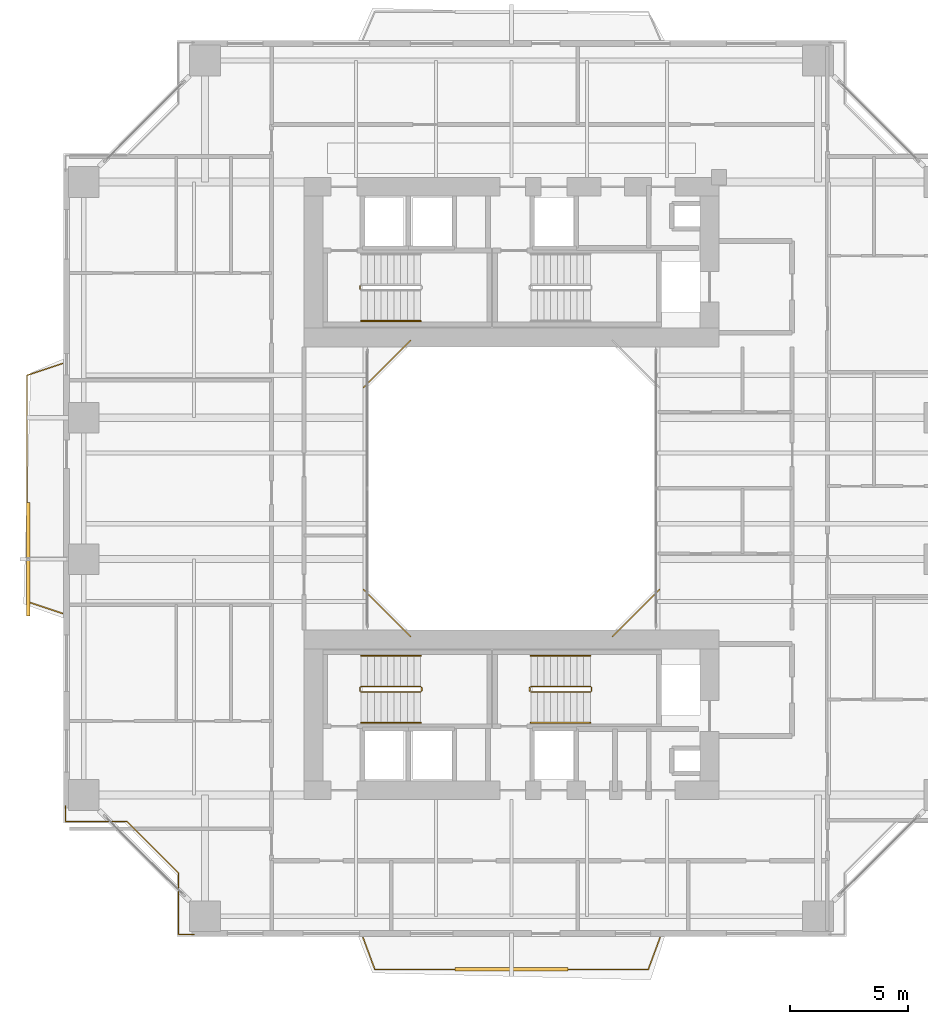
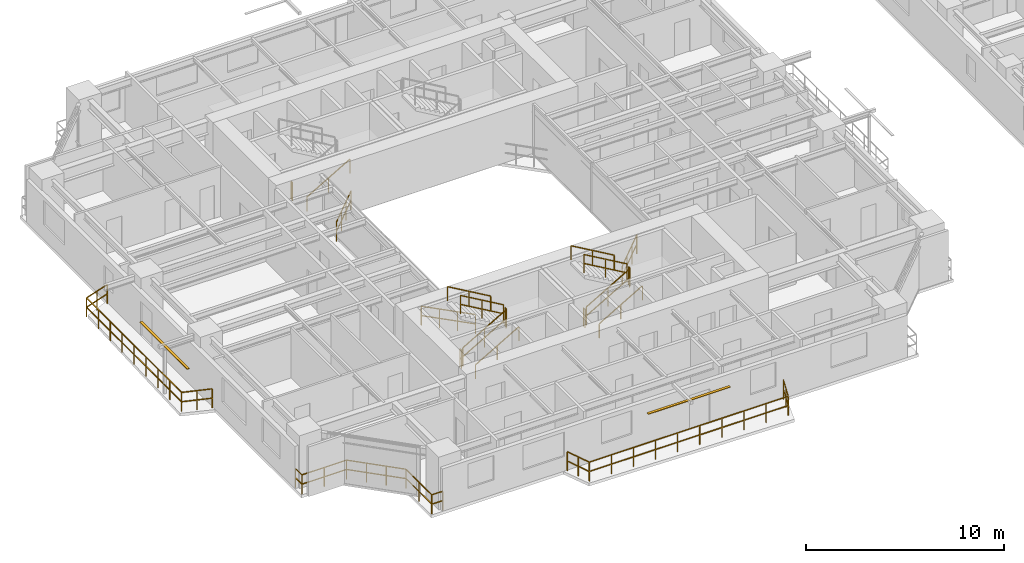
# One storey, part 20 of 24: 20 railings, 2 shading devices.
"""IFC4 building model written with IfcOpenShell, lengths in metres."""

import ifcopenshell
import ifcopenshell.guid

model = None  # the IFC model being written
_history = None  # IfcOwnerHistory: only IFC2X3 demands one
_inside = {}  # id of a spatial element -> (the spatial element, [elements in it])
_under = {}  # id of a project, library or spatial element -> (it, [spatial elements below it])
_declared = {}  # id of a project -> (the project, [libraries it declares])
_typed = {}  # id of a type object -> (the type object, [elements of that type])
_made_of = {}  # id of a material, layer set ... -> (it, [elements and type objects made of it])


def new_model(schema):
    """Start an empty IFC model of exactly this schema.

    Asked for "IFC4X3", IfcOpenShell would pick the latest addendum, in which some entities
    have other attributes; the version numbers below select the first issue.
    IFC2X3 requires an IfcOwnerHistory on every rooted entity: one is made here for all.
    """
    global model, _history
    if schema == "IFC4X3":
        model = ifcopenshell.file(schema_version=(4, 3, 0, 0))
    else:
        model = ifcopenshell.file(schema=schema)
    _inside.clear()
    _under.clear()
    _declared.clear()
    _typed.clear()
    _made_of.clear()
    _history = None
    if model.schema == "IFC2X3":
        org = make("IfcOrganization", Name="unknown")
        user = make(
            "IfcPersonAndOrganization",
            ThePerson=make("IfcPerson", FamilyName="unknown"),
            TheOrganization=org,
        )
        app = make(
            "IfcApplication",
            ApplicationDeveloper=org,
            Version="unknown",
            ApplicationFullName="unknown",
            ApplicationIdentifier="unknown",
        )
        _history = make(
            "IfcOwnerHistory",
            OwningUser=user,
            OwningApplication=app,
            ChangeAction="ADDED",
            CreationDate=0,
        )
    return model


def make(cls, **values):
    """One entity of the class cls with the attributes given. An attribute that is None is left unset."""
    return model.create_entity(
        cls, **{name: value for name, value in values.items() if value is not None}
    )


def rooted(cls, **values):
    """An entity with a GlobalId (a new one), such as an element, a storey or a relation."""
    return make(cls, GlobalId=ifcopenshell.guid.new(), OwnerHistory=_history, **values)


def si_unit(unit_type, name, prefix=None):
    """IfcSIUnit, for example si_unit("LENGTHUNIT", "METRE", prefix="MILLI")."""
    return make("IfcSIUnit", UnitType=unit_type, Prefix=prefix, Name=name)


def assignment(units):
    """IfcUnitAssignment: the units of a project."""
    return None if units is None else make("IfcUnitAssignment", Units=units)


def point(xyz):
    """IfcCartesianPoint."""
    return None if xyz is None else make("IfcCartesianPoint", Coordinates=xyz)


def direction(xyz):
    """IfcDirection."""
    return None if xyz is None else make("IfcDirection", DirectionRatios=xyz)


def frame(location, z_axis=None, x_axis=None):
    """IfcAxis2Placement3D, a coordinate frame: its origin and axes. An axis left out is left unset."""
    return make(
        "IfcAxis2Placement3D",
        Location=point(location),
        Axis=direction(z_axis),
        RefDirection=direction(x_axis),
    )


def frame_2d(location, x_axis=None):
    """IfcAxis2Placement2D, a coordinate frame in the plane: its origin and x axis."""
    return make(
        "IfcAxis2Placement2D", Location=point(location), RefDirection=direction(x_axis)
    )


def origin():
    """The frame at (0, 0, 0) with its axes left unset."""
    return frame((0.0, 0.0, 0.0))


def origin_2d():
    """The frame at (0, 0) in the plane with its x axis left unset."""
    return frame_2d((0.0, 0.0))


def place(relative_to, where):
    """IfcLocalPlacement: puts the frame where relative to a parent placement (None: the world)."""
    return make(
        "IfcLocalPlacement", PlacementRelTo=relative_to, RelativePlacement=where
    )


def context(
    kind, dimensions, precision=None, world=None, true_north=None, identifier=None
):
    """IfcGeometricRepresentationContext, for example the 3D "Model" context."""
    return make(
        "IfcGeometricRepresentationContext",
        ContextIdentifier=identifier,
        ContextType=kind,
        CoordinateSpaceDimension=dimensions,
        Precision=precision,
        WorldCoordinateSystem=world,
        TrueNorth=true_north,
    )


def subcontext(parent, identifier, kind, view, scale=None):
    """IfcGeometricRepresentationSubContext, for example "Body" below "Model"."""
    return make(
        "IfcGeometricRepresentationSubContext",
        ContextIdentifier=identifier,
        ContextType=kind,
        ParentContext=parent,
        TargetScale=scale,
        TargetView=view,
    )


def project(units=None, contexts=None):
    """IfcProject with its units and contexts."""
    return rooted(
        "IfcProject",
        Name="project",
        RepresentationContexts=contexts,
        UnitsInContext=assignment(units),
    )


def spatial(cls, under=None, at=None, **own):
    """A site, building, storey or space (cls), placed at a placement, below another one or the project."""
    s = rooted(cls, ObjectPlacement=at, **own)
    if under is not None:
        _under.setdefault(under.id(), (under, []))[1].append(s)
    return s


def profile(cls, at=None, kind="AREA", **sizes):
    """A parametric profile (cls). Its sizes go by their IFC names, for example OverallWidth=200.0."""
    return make(cls, ProfileType=kind, Position=at, **sizes)


def rectangle(**sizes):
    """IfcRectangleProfileDef."""
    return profile("IfcRectangleProfileDef", **sizes)


def extrude(swept, where, along, depth):
    """IfcExtrudedAreaSolid: the profile swept, set in the frame where, extruded along a direction by depth."""
    return make(
        "IfcExtrudedAreaSolid",
        SweptArea=swept,
        Position=where,
        ExtrudedDirection=direction(along),
        Depth=depth,
    )


def shape(context_of_items, identifier, shape_type, items):
    """IfcShapeRepresentation: the items that make up one representation, for example the "Body"."""
    return make(
        "IfcShapeRepresentation",
        ContextOfItems=context_of_items,
        RepresentationIdentifier=identifier,
        RepresentationType=shape_type,
        Items=items,
    )


def source(mapping_origin, context_of_items, identifier, shape_type, items):
    """IfcRepresentationMap: a shape defined once, which mapped items show again and again."""
    return make(
        "IfcRepresentationMap",
        MappingOrigin=mapping_origin,
        MappedRepresentation=shape(context_of_items, identifier, shape_type, items),
    )


def transform(
    local_origin,
    x_axis=None,
    y_axis=None,
    z_axis=None,
    scale=None,
    scale2=None,
    scale3=None,
    uniform=True,
):
    """IfcCartesianTransformationOperator3D, or its non-uniform kind. x_axis, y_axis, z_axis: its Axis1, 2, 3."""
    if uniform:
        return make(
            "IfcCartesianTransformationOperator3D",
            Axis1=direction(x_axis),
            Axis2=direction(y_axis),
            LocalOrigin=point(local_origin),
            Scale=scale,
            Axis3=direction(z_axis),
        )
    return make(
        "IfcCartesianTransformationOperator3DnonUniform",
        Axis1=direction(x_axis),
        Axis2=direction(y_axis),
        LocalOrigin=point(local_origin),
        Scale=scale,
        Axis3=direction(z_axis),
        Scale2=scale2,
        Scale3=scale3,
    )


def mapped(mapping_source, mapping_target):
    """IfcMappedItem: shows the shape of a source again, moved by a transform."""
    return make(
        "IfcMappedItem", MappingSource=mapping_source, MappingTarget=mapping_target
    )


def material(Name=None, Category=None):
    """IfcMaterial."""
    return make("IfcMaterial", Name=Name, Category=Category)


def material_profile(
    of_material, cross_section, Name=None, Category=None, Priority=None
):
    """IfcMaterialProfile: a cross section and its material."""
    return make(
        "IfcMaterialProfile",
        Name=Name,
        Material=of_material,
        Profile=cross_section,
        Priority=Priority,
        Category=Category,
    )


def profile_set(profiles, Name=None, composite=None):
    """IfcMaterialProfileSet."""
    return make(
        "IfcMaterialProfileSet",
        Name=Name,
        MaterialProfiles=profiles,
        CompositeProfile=composite,
    )


def made_of(thing, what):
    """Note that an element or type object is made of a material, layer set ...; save() writes the relation."""
    if what is not None:
        _made_of.setdefault(what.id(), (what, []))[1].append(thing)
    return thing


def type_object(cls, material=None, **own):
    """A type object (cls), such as IfcWallType, which elements share."""
    return made_of(rooted(cls, **own), material)


def element(
    cls,
    number,
    at=None,
    inside=None,
    cuts=None,
    type_object=None,
    material=None,
    context=None,
    identifier="Body",
    shape_type=None,
    held_by="IfcProductDefinitionShape",
    body=None,
    shapes=None,
    **own,
):
    """One element of the class cls, such as IfcWall. Its Tag is "e" and its number.

    at: its placement. inside: the storey or other place that contains it. cuts: it is an
    opening in that element (IfcRelVoidsElement). A single representation is given by context,
    identifier, shape_type and body (its items); several are given by shapes. held_by: the class
    of the entity that holds the representations. save() writes the other relations.
    """
    e = rooted(cls, Tag="e%d" % number, ObjectPlacement=at, **own)
    if body is not None:
        shapes = [shape(context, identifier, shape_type, body)]
    if shapes is not None:
        e.Representation = make(held_by, Representations=shapes)
    if inside is not None:
        _inside.setdefault(inside.id(), (inside, []))[1].append(e)
    if cuts is not None:
        rooted(
            "IfcRelVoidsElement", RelatingBuildingElement=cuts, RelatedOpeningElement=e
        )
    if type_object is not None:
        _typed.setdefault(type_object.id(), (type_object, []))[1].append(e)
    return made_of(e, material)


def aggregate(whole, parts):
    """IfcRelAggregates: a whole, such as a stair, and the parts it consists of."""
    return rooted("IfcRelAggregates", RelatingObject=whole, RelatedObjects=parts)


def save(model, path):
    """Write the relations noted so far, then the file.

    IfcRelAggregates (storeys below a building ...), IfcRelContainedInSpatialStructure (elements
    in a storey), IfcRelDefinesByType, IfcRelAssociatesMaterial and IfcRelDeclares: one each for
    every whole, place, type object, material and project.
    """
    for whole, parts in _under.values():
        aggregate(whole, parts)
    for where, things in _inside.values():
        rooted(
            "IfcRelContainedInSpatialStructure",
            RelatedElements=things,
            RelatingStructure=where,
        )
    for kind, things in _typed.values():
        rooted("IfcRelDefinesByType", RelatedObjects=things, RelatingType=kind)
    for what, things in _made_of.values():
        rooted("IfcRelAssociatesMaterial", RelatedObjects=things, RelatingMaterial=what)
    for by, libraries in _declared.values():
        rooted("IfcRelDeclares", RelatingContext=by, RelatedDefinitions=libraries)
    model.write(path)


model = new_model("IFC4")

# Units and contexts
model_context = context("Model", 3, precision=1e-05, world=origin(), true_north=direction((0.0, 1.0)))
body_context = subcontext(model_context, "Body", "Model", "MODEL_VIEW")
ifc_project = project(units=[si_unit("LENGTHUNIT", "METRE"), si_unit("AREAUNIT", "SQUARE_METRE"), si_unit("VOLUMEUNIT", "CUBIC_METRE"), si_unit("PLANEANGLEUNIT", "RADIAN"), si_unit("MASSUNIT", "GRAM", prefix="KILO"), si_unit("THERMODYNAMICTEMPERATUREUNIT", "KELVIN"), si_unit("POWERUNIT", "WATT")], contexts=[model_context])

# Site, building, storey
site_placement = place(None, origin())
site = spatial("IfcSite", under=ifc_project, at=site_placement, CompositionType="ELEMENT")
building_placement = place(site_placement, origin())
building = spatial("IfcBuilding", under=site, at=building_placement, Name="Qiaomeng Ring Towers", CompositionType="ELEMENT")
storey_placement = place(building_placement, frame((0.0, 0.0, 56.75)))
storey = spatial("IfcBuildingStorey", under=building, at=storey_placement, Name="L15", CompositionType="ELEMENT", Elevation=56.75)

# Railings
ifc_material_1 = material(Name="Low-E pale-green laminated safety glass", Category="glass")
railing_type_1 = type_object("IfcRailingType", Name="ARC-RL-BAL1", PredefinedType="BALUSTRADE", material=ifc_material_1)
railing_1_placement = place(storey_placement, frame((23.280029296875, 16.719970703125, 0.0)))
element("IfcRailing", 1, at=railing_1_placement, inside=storey, type_object=railing_type_1, Name="L15 Balustrade ARC-BAL-WELL1-L15-1", PredefinedType="BALUSTRADE", context=body_context, shape_type="SweptSolid", body=[
    extrude(rectangle(XDim=0.048095703125, YDim=0.048095703125, at=origin_2d()), frame((0.0, 0.0, 1.17578125), z_axis=(0.707106781187, 0.707106781187, 0.0), x_axis=(-0.707106781187, 0.707106781187, 0.0)), (0.0, 0.0, 1.0), 2.828369140625),
    extrude(rectangle(XDim=0.048095703125, YDim=0.048095703125, at=origin_2d()), frame((0.0, 0.0, 0.60009765625), z_axis=(0.707106781187, 0.707106781187, 0.0), x_axis=(-0.707106781187, 0.707106781187, 0.0)), (0.0, 0.0, 1.0), 2.828369140625),
    extrude(rectangle(XDim=0.0419921875, YDim=0.0419921875, at=origin_2d()), origin(), (0.0, 0.0, 1.0), 1.15185546875),
    extrude(rectangle(XDim=0.0419921875, YDim=0.0419921875, at=origin_2d()), frame((0.666748046875, 0.666748046875, 0.0)), (0.0, 0.0, 1.0), 1.15185546875),
    extrude(rectangle(XDim=0.0419921875, YDim=0.0419921875, at=origin_2d()), frame((1.333251953125, 1.333251953125, 0.0)), (0.0, 0.0, 1.0), 1.15185546875),
    extrude(rectangle(XDim=0.0419921875, YDim=0.0419921875, at=origin_2d()), frame((2.0, 2.0, 0.0)), (0.0, 0.0, 1.0), 1.15185546875),
])
railing_2_placement = place(storey_placement, frame((14.719970703125, 29.280029296875, 0.0)))
element("IfcRailing", 2, at=railing_2_placement, inside=storey, type_object=railing_type_1, Name="L15 Balustrade ARC-BAL-WELL1-L15-3", PredefinedType="BALUSTRADE", context=body_context, shape_type="SweptSolid", body=[
    extrude(rectangle(XDim=0.048095703125, YDim=0.048095703125, at=origin_2d()), frame((0.0, 0.0, 1.17578125), z_axis=(-0.707106781187, -0.707106781187, 0.0), x_axis=(0.707106781187, -0.707106781187, 0.0)), (0.0, 0.0, 1.0), 2.828369140625),
    extrude(rectangle(XDim=0.048095703125, YDim=0.048095703125, at=origin_2d()), frame((0.0, 0.0, 0.60009765625), z_axis=(-0.707106781187, -0.707106781187, 0.0), x_axis=(0.707106781187, -0.707106781187, 0.0)), (0.0, 0.0, 1.0), 2.828369140625),
    extrude(rectangle(XDim=0.0419921875, YDim=0.0419921875, at=origin_2d()), origin(), (0.0, 0.0, 1.0), 1.15185546875),
    extrude(rectangle(XDim=0.0419921875, YDim=0.0419921875, at=origin_2d()), frame((-0.666748046875, -0.666748046875, 0.0)), (0.0, 0.0, 1.0), 1.15185546875),
    extrude(rectangle(XDim=0.0419921875, YDim=0.0419921875, at=origin_2d()), frame((-1.333251953125, -1.333251953125, 0.0)), (0.0, 0.0, 1.0), 1.15185546875),
    extrude(rectangle(XDim=0.0419921875, YDim=0.0419921875, at=origin_2d()), frame((-2.0, -2.0, 0.0)), (0.0, 0.0, 1.0), 1.15185546875),
])
railing_3_placement = place(storey_placement, frame((12.719970703125, 18.719970703125, 0.0)))
element("IfcRailing", 3, at=railing_3_placement, inside=storey, type_object=railing_type_1, Name="L15 Balustrade ARC-BAL-WELL1-L15-4", PredefinedType="BALUSTRADE", context=body_context, shape_type="SweptSolid", body=[
    extrude(rectangle(XDim=0.048095703125, YDim=0.048095703125, at=origin_2d()), frame((0.0, 0.0, 1.17578125), z_axis=(0.707106781187, -0.707106781187, 0.0), x_axis=(0.707106781187, 0.707106781187, 0.0)), (0.0, 0.0, 1.0), 2.828369140625),
    extrude(rectangle(XDim=0.048095703125, YDim=0.048095703125, at=origin_2d()), frame((0.0, 0.0, 0.60009765625), z_axis=(0.707106781187, -0.707106781187, 0.0), x_axis=(0.707106781187, 0.707106781187, 0.0)), (0.0, 0.0, 1.0), 2.828369140625),
    extrude(rectangle(XDim=0.0419921875, YDim=0.0419921875, at=origin_2d()), origin(), (0.0, 0.0, 1.0), 1.15185546875),
    extrude(rectangle(XDim=0.0419921875, YDim=0.0419921875, at=origin_2d()), frame((0.666748046875, -0.666748046875, 0.0)), (0.0, 0.0, 1.0), 1.15185546875),
    extrude(rectangle(XDim=0.0419921875, YDim=0.0419921875, at=origin_2d()), frame((1.333251953125, -1.333251953125, 0.0)), (0.0, 0.0, 1.0), 1.15185546875),
    extrude(rectangle(XDim=0.0419921875, YDim=0.0419921875, at=origin_2d()), frame((2.0, -2.0, 0.0)), (0.0, 0.0, 1.0), 1.15185546875),
])
railing_4_placement = place(storey_placement, frame((0.080078125, 9.530029296875, 0.0)))
element("IfcRailing", 4, at=railing_4_placement, inside=storey, type_object=railing_type_1, Name="L15 Balustrade ARC-BAL-NOTCH1-L15-SW", PredefinedType="BALUSTRADE", context=body_context, shape_type="SweptSolid", body=[
    extrude(rectangle(XDim=0.048095703125, YDim=0.048095703125, at=origin_2d()), frame((0.0, 0.0, 1.17578125), z_axis=(0.0, -1.0, 0.0), x_axis=(1.0, 0.0, 0.0)), (0.0, 0.0, 1.0), 0.650146484375),
    extrude(rectangle(XDim=0.048095703125, YDim=0.048095703125, at=origin_2d()), frame((0.0, 0.0, 0.60009765625), z_axis=(0.0, -1.0, 0.0), x_axis=(1.0, 0.0, 0.0)), (0.0, 0.0, 1.0), 0.650146484375),
    extrude(rectangle(XDim=0.048095703125, YDim=0.048095703125, at=origin_2d()), frame((0.0, -0.650146484375, 1.17578125), z_axis=(1.0, 0.0, 0.0), x_axis=(0.0, 1.0, 0.0)), (0.0, 0.0, 1.0), 2.599853515625),
    extrude(rectangle(XDim=0.048095703125, YDim=0.048095703125, at=origin_2d()), frame((0.0, -0.650146484375, 0.60009765625), z_axis=(1.0, 0.0, 0.0), x_axis=(0.0, 1.0, 0.0)), (0.0, 0.0, 1.0), 2.599853515625),
    extrude(rectangle(XDim=0.048095703125, YDim=0.048095703125, at=origin_2d()), frame((2.599853515625, -0.650146484375, 1.17578125), z_axis=(0.707106781187, -0.707106781187, 0.0), x_axis=(0.707106781187, 0.707106781187, 0.0)), (0.0, 0.0, 1.0), 3.111083984375),
    extrude(rectangle(XDim=0.048095703125, YDim=0.048095703125, at=origin_2d()), frame((2.599853515625, -0.650146484375, 0.60009765625), z_axis=(0.707106781187, -0.707106781187, 0.0), x_axis=(0.707106781187, 0.707106781187, 0.0)), (0.0, 0.0, 1.0), 3.111083984375),
    extrude(rectangle(XDim=0.048095703125, YDim=0.048095703125, at=origin_2d()), frame((4.7998046875, -2.85009765625, 1.17578125), z_axis=(0.0, -1.0, 0.0), x_axis=(1.0, 0.0, 0.0)), (0.0, 0.0, 1.0), 2.599853515625),
    extrude(rectangle(XDim=0.048095703125, YDim=0.048095703125, at=origin_2d()), frame((4.7998046875, -2.85009765625, 0.60009765625), z_axis=(0.0, -1.0, 0.0), x_axis=(1.0, 0.0, 0.0)), (0.0, 0.0, 1.0), 2.599853515625),
    extrude(rectangle(XDim=0.048095703125, YDim=0.048095703125, at=origin_2d()), frame((4.7998046875, -5.449951171875, 1.17578125), z_axis=(1.0, 0.0, 0.0), x_axis=(0.0, 1.0, 0.0)), (0.0, 0.0, 1.0), 0.650146484375),
    extrude(rectangle(XDim=0.048095703125, YDim=0.048095703125, at=origin_2d()), frame((4.7998046875, -5.449951171875, 0.60009765625), z_axis=(1.0, 0.0, 0.0), x_axis=(0.0, 1.0, 0.0)), (0.0, 0.0, 1.0), 0.650146484375),
    extrude(rectangle(XDim=0.0419921875, YDim=0.0419921875, at=origin_2d()), origin(), (0.0, 0.0, 1.0), 1.15185546875),
    extrude(rectangle(XDim=0.0419921875, YDim=0.0419921875, at=origin_2d()), frame((0.0, -0.650146484375, 0.0)), (0.0, 0.0, 1.0), 1.15185546875),
    extrude(rectangle(XDim=0.0419921875, YDim=0.0419921875, at=origin_2d()), frame((1.2998046875, -0.650146484375, 0.0)), (0.0, 0.0, 1.0), 1.15185546875),
    extrude(rectangle(XDim=0.0419921875, YDim=0.0419921875, at=origin_2d()), frame((2.599853515625, -0.650146484375, 0.0)), (0.0, 0.0, 1.0), 1.15185546875),
    extrude(rectangle(XDim=0.0419921875, YDim=0.0419921875, at=origin_2d()), frame((3.333251953125, -1.383544921875, 0.0)), (0.0, 0.0, 1.0), 1.15185546875),
    extrude(rectangle(XDim=0.0419921875, YDim=0.0419921875, at=origin_2d()), frame((4.06640625, -2.11669921875, 0.0)), (0.0, 0.0, 1.0), 1.15185546875),
    extrude(rectangle(XDim=0.0419921875, YDim=0.0419921875, at=origin_2d()), frame((4.7998046875, -2.85009765625, 0.0)), (0.0, 0.0, 1.0), 1.15185546875),
    extrude(rectangle(XDim=0.0419921875, YDim=0.0419921875, at=origin_2d()), frame((4.7998046875, -4.14990234375, 0.0)), (0.0, 0.0, 1.0), 1.15185546875),
    extrude(rectangle(XDim=0.0419921875, YDim=0.0419921875, at=origin_2d()), frame((4.7998046875, -5.449951171875, 0.0)), (0.0, 0.0, 1.0), 1.15185546875),
    extrude(rectangle(XDim=0.0419921875, YDim=0.0419921875, at=origin_2d()), frame((5.449951171875, -5.449951171875, 0.0)), (0.0, 0.0, 1.0), 1.15185546875),
])
railing_5_placement = place(storey_placement, frame((12.699951171875, 3.949951171875, 0.0)))
element("IfcRailing", 5, at=railing_5_placement, inside=storey, type_object=railing_type_1, Name="L15 Balustrade ARC-BAL-L15-T1-S", PredefinedType="BALUSTRADE", context=body_context, shape_type="SweptSolid", body=[
    extrude(rectangle(XDim=0.048095703125, YDim=0.048095703125, at=origin_2d()), frame((0.0, 0.0, 1.17578125), z_axis=(0.347347498827, -0.937736484871, 0.0), x_axis=(0.937736484871, 0.347347498827, 0.0)), (0.0, 0.0, 1.0), 1.439453125),
    extrude(rectangle(XDim=0.048095703125, YDim=0.048095703125, at=origin_2d()), frame((0.0, 0.0, 0.60009765625), z_axis=(0.347347498827, -0.937736484871, 0.0), x_axis=(0.937736484871, 0.347347498827, 0.0)), (0.0, 0.0, 1.0), 1.439453125),
    extrude(rectangle(XDim=0.048095703125, YDim=0.048095703125, at=origin_2d()), frame((0.5, -1.349853515625, 1.17578125), z_axis=(1.0, 0.0, 0.0), x_axis=(0.0, 1.0, 0.0)), (0.0, 0.0, 1.0), 11.60009765625),
    extrude(rectangle(XDim=0.048095703125, YDim=0.048095703125, at=origin_2d()), frame((0.5, -1.349853515625, 0.60009765625), z_axis=(1.0, 0.0, 0.0), x_axis=(0.0, 1.0, 0.0)), (0.0, 0.0, 1.0), 11.60009765625),
    extrude(rectangle(XDim=0.048095703125, YDim=0.048095703125, at=origin_2d()), frame((12.10009765625, -1.349853515625, 1.17578125), z_axis=(0.347347498827, 0.937736484871, 0.0), x_axis=(-0.937736484871, 0.347347498827, 0.0)), (0.0, 0.0, 1.0), 1.439453125),
    extrude(rectangle(XDim=0.048095703125, YDim=0.048095703125, at=origin_2d()), frame((12.10009765625, -1.349853515625, 0.60009765625), z_axis=(0.347347498827, 0.937736484871, 0.0), x_axis=(-0.937736484871, 0.347347498827, 0.0)), (0.0, 0.0, 1.0), 1.439453125),
    extrude(rectangle(XDim=0.0419921875, YDim=0.0419921875, at=origin_2d()), origin(), (0.0, 0.0, 1.0), 1.15185546875),
    extrude(rectangle(XDim=0.0419921875, YDim=0.0419921875, at=origin_2d()), frame((0.25, -0.6748046875, 0.0)), (0.0, 0.0, 1.0), 1.15185546875),
    extrude(rectangle(XDim=0.0419921875, YDim=0.0419921875, at=origin_2d()), frame((0.5, -1.349853515625, 0.0)), (0.0, 0.0, 1.0), 1.15185546875),
    extrude(rectangle(XDim=0.0419921875, YDim=0.0419921875, at=origin_2d()), frame((1.788818359375, -1.349853515625, 0.0)), (0.0, 0.0, 1.0), 1.15185546875),
    extrude(rectangle(XDim=0.0419921875, YDim=0.0419921875, at=origin_2d()), frame((3.077880859375, -1.349853515625, 0.0)), (0.0, 0.0, 1.0), 1.15185546875),
    extrude(rectangle(XDim=0.0419921875, YDim=0.0419921875, at=origin_2d()), frame((4.36669921875, -1.349853515625, 0.0)), (0.0, 0.0, 1.0), 1.15185546875),
    extrude(rectangle(XDim=0.0419921875, YDim=0.0419921875, at=origin_2d()), frame((5.655517578125, -1.349853515625, 0.0)), (0.0, 0.0, 1.0), 1.15185546875),
    extrude(rectangle(XDim=0.0419921875, YDim=0.0419921875, at=origin_2d()), frame((6.944580078125, -1.349853515625, 0.0)), (0.0, 0.0, 1.0), 1.15185546875),
    extrude(rectangle(XDim=0.0419921875, YDim=0.0419921875, at=origin_2d()), frame((8.2333984375, -1.349853515625, 0.0)), (0.0, 0.0, 1.0), 1.15185546875),
    extrude(rectangle(XDim=0.0419921875, YDim=0.0419921875, at=origin_2d()), frame((9.522216796875, -1.349853515625, 0.0)), (0.0, 0.0, 1.0), 1.15185546875),
    extrude(rectangle(XDim=0.0419921875, YDim=0.0419921875, at=origin_2d()), frame((10.811279296875, -1.349853515625, 0.0)), (0.0, 0.0, 1.0), 1.15185546875),
    extrude(rectangle(XDim=0.0419921875, YDim=0.0419921875, at=origin_2d()), frame((12.10009765625, -1.349853515625, 0.0)), (0.0, 0.0, 1.0), 1.15185546875),
    extrude(rectangle(XDim=0.0419921875, YDim=0.0419921875, at=origin_2d()), frame((12.35009765625, -0.6748046875, 0.0)), (0.0, 0.0, 1.0), 1.15185546875),
    extrude(rectangle(XDim=0.0419921875, YDim=0.0419921875, at=origin_2d()), frame((12.60009765625, 0.0, 0.0)), (0.0, 0.0, 1.0), 1.15185546875),
])
railing_6_placement = place(storey_placement, frame((-0.050048828125, 17.699951171875, 0.0)))
element("IfcRailing", 6, at=railing_6_placement, inside=storey, type_object=railing_type_1, Name="L15 Balustrade ARC-BAL-L15-T1-W", PredefinedType="BALUSTRADE", context=body_context, shape_type="SweptSolid", body=[
    extrude(rectangle(XDim=0.048095703125, YDim=0.048095703125, at=origin_2d()), frame((0.0, 0.0, 1.17578125), z_axis=(-0.948683298051, 0.316227766017, 0.0), x_axis=(-0.316227766017, -0.948683298051, 0.0)), (0.0, 0.0, 1.0), 1.5810546875),
    extrude(rectangle(XDim=0.048095703125, YDim=0.048095703125, at=origin_2d()), frame((0.0, 0.0, 0.60009765625), z_axis=(-0.948683298051, 0.316227766017, 0.0), x_axis=(-0.316227766017, -0.948683298051, 0.0)), (0.0, 0.0, 1.0), 1.5810546875),
    extrude(rectangle(XDim=0.048095703125, YDim=0.048095703125, at=origin_2d()), frame((-1.5, 0.5, 1.17578125), z_axis=(0.0, 1.0, 0.0), x_axis=(-1.0, 0.0, 0.0)), (0.0, 0.0, 1.0), 9.60009765625),
    extrude(rectangle(XDim=0.048095703125, YDim=0.048095703125, at=origin_2d()), frame((-1.5, 0.5, 0.60009765625), z_axis=(0.0, 1.0, 0.0), x_axis=(-1.0, 0.0, 0.0)), (0.0, 0.0, 1.0), 9.60009765625),
    extrude(rectangle(XDim=0.048095703125, YDim=0.048095703125, at=origin_2d()), frame((-1.5, 10.10009765625, 1.17578125), z_axis=(0.948683298051, 0.316227766017, 0.0), x_axis=(-0.316227766017, 0.948683298051, 0.0)), (0.0, 0.0, 1.0), 1.5810546875),
    extrude(rectangle(XDim=0.048095703125, YDim=0.048095703125, at=origin_2d()), frame((-1.5, 10.10009765625, 0.60009765625), z_axis=(0.948683298051, 0.316227766017, 0.0), x_axis=(-0.316227766017, 0.948683298051, 0.0)), (0.0, 0.0, 1.0), 1.5810546875),
    extrude(rectangle(XDim=0.0419921875, YDim=0.0419921875, at=origin_2d()), origin(), (0.0, 0.0, 1.0), 1.15185546875),
    extrude(rectangle(XDim=0.0419921875, YDim=0.0419921875, at=origin_2d()), frame((-0.75, 0.25, 0.0)), (0.0, 0.0, 1.0), 1.15185546875),
    extrude(rectangle(XDim=0.0419921875, YDim=0.0419921875, at=origin_2d()), frame((-1.5, 0.5, 0.0)), (0.0, 0.0, 1.0), 1.15185546875),
    extrude(rectangle(XDim=0.0419921875, YDim=0.0419921875, at=origin_2d()), frame((-1.5, 1.699951171875, 0.0)), (0.0, 0.0, 1.0), 1.15185546875),
    extrude(rectangle(XDim=0.0419921875, YDim=0.0419921875, at=origin_2d()), frame((-1.5, 2.89990234375, 0.0)), (0.0, 0.0, 1.0), 1.15185546875),
    extrude(rectangle(XDim=0.0419921875, YDim=0.0419921875, at=origin_2d()), frame((-1.5, 4.10009765625, 0.0)), (0.0, 0.0, 1.0), 1.15185546875),
    extrude(rectangle(XDim=0.0419921875, YDim=0.0419921875, at=origin_2d()), frame((-1.5, 5.300048828125, 0.0)), (0.0, 0.0, 1.0), 1.15185546875),
    extrude(rectangle(XDim=0.0419921875, YDim=0.0419921875, at=origin_2d()), frame((-1.5, 6.5, 0.0)), (0.0, 0.0, 1.0), 1.15185546875),
    extrude(rectangle(XDim=0.0419921875, YDim=0.0419921875, at=origin_2d()), frame((-1.5, 7.7001953125, 0.0)), (0.0, 0.0, 1.0), 1.15185546875),
    extrude(rectangle(XDim=0.0419921875, YDim=0.0419921875, at=origin_2d()), frame((-1.5, 8.900146484375, 0.0)), (0.0, 0.0, 1.0), 1.15185546875),
    extrude(rectangle(XDim=0.0419921875, YDim=0.0419921875, at=origin_2d()), frame((-1.5, 10.10009765625, 0.0)), (0.0, 0.0, 1.0), 1.15185546875),
    extrude(rectangle(XDim=0.0419921875, YDim=0.0419921875, at=origin_2d()), frame((-0.75, 10.35009765625, 0.0)), (0.0, 0.0, 1.0), 1.15185546875),
    extrude(rectangle(XDim=0.0419921875, YDim=0.0419921875, at=origin_2d()), frame((0.0, 10.60009765625, 0.0)), (0.0, 0.0, 1.0), 1.15185546875),
])
ifc_material_2 = material(Name="Galvanised steel", Category="steel")
railing_type_2 = type_object("IfcRailingType", Name="ARC-RL-GUARD", PredefinedType="GUARDRAIL", material=ifc_material_2)
railing_7_placement = place(storey_placement, frame((12.570068359375, 31.449951171875, 0.0)))
element("IfcRailing", 7, at=railing_7_placement, inside=storey, type_object=railing_type_2, Name="L15 ST1 stair guard 4", PredefinedType="GUARDRAIL", context=body_context, shape_type="SweptSolid", body=[
    extrude(rectangle(XDim=0.048095703125, YDim=0.048095703125, at=origin_2d()), frame((0.0, 0.0, 1.1259765625), z_axis=(0.0, 1.0, 0.0), x_axis=(-1.0, 0.0, 0.0)), (0.0, 0.0, 1.0), 0.14013671875),
    extrude(rectangle(XDim=0.048095703125, YDim=0.048095703125, at=origin_2d()), frame((0.0, 0.0, 0.574951171875), z_axis=(0.0, 1.0, 0.0), x_axis=(-1.0, 0.0, 0.0)), (0.0, 0.0, 1.0), 0.14013671875),
    extrude(rectangle(XDim=0.0419921875, YDim=0.0419921875, at=origin_2d()), origin(), (0.0, 0.0, 1.0), 1.101806640625),
    extrude(rectangle(XDim=0.0419921875, YDim=0.0419921875, at=origin_2d()), frame((0.0, 0.14013671875, 0.0)), (0.0, 0.0, 1.0), 1.101806640625),
])
railing_8_placement = place(storey_placement, frame((12.6201171875, 14.360107421875, 0.16259765625)))
element("IfcRailing", 8, at=railing_8_placement, inside=storey, type_object=railing_type_2, Name="L15 ST3 stair guard 1", PredefinedType="GUARDRAIL", context=body_context, shape_type="SweptSolid", body=[
    extrude(rectangle(XDim=0.048095703125, YDim=0.048095703125, at=origin_2d()), frame((0.0, 0.0, 1.1259765625), z_axis=(0.864892226395, 0.0, 0.501957604506), x_axis=(0.0, 1.0, 0.0)), (0.0, 0.0, 1.0), 2.913330078125),
    extrude(rectangle(XDim=0.048095703125, YDim=0.048095703125, at=origin_2d()), frame((0.0, 0.0, 0.574951171875), z_axis=(0.864892226395, 0.0, 0.501957604506), x_axis=(0.0, 1.0, 0.0)), (0.0, 0.0, 1.0), 2.913330078125),
    extrude(rectangle(XDim=0.0419921875, YDim=0.0419921875, at=origin_2d()), origin(), (0.0, 0.0, 1.0), 1.101806640625),
    extrude(rectangle(XDim=0.0419921875, YDim=0.0419921875, at=origin_2d()), frame((1.259765625, 0.0, 0.731201171875)), (0.0, 0.0, 1.0), 1.101806640625),
    extrude(rectangle(XDim=0.0419921875, YDim=0.0419921875, at=origin_2d()), frame((2.519775390625, 0.0, 1.46240234375)), (0.0, 0.0, 1.0), 1.101806640625),
])
railing_9_placement = place(storey_placement, frame((15.18994140625, 14.409912109375, 1.625)))
element("IfcRailing", 9, at=railing_9_placement, inside=storey, type_object=railing_type_2, Name="L15 ST3 stair guard 2", PredefinedType="GUARDRAIL", context=body_context, shape_type="SweptSolid", body=[
    extrude(rectangle(XDim=0.048095703125, YDim=0.048095703125, at=origin_2d()), frame((0.0, 0.0, 1.1259765625), z_axis=(0.0, 1.0, 0.0), x_axis=(-1.0, 0.0, 0.0)), (0.0, 0.0, 1.0), 0.14013671875),
    extrude(rectangle(XDim=0.048095703125, YDim=0.048095703125, at=origin_2d()), frame((0.0, 0.0, 0.574951171875), z_axis=(0.0, 1.0, 0.0), x_axis=(-1.0, 0.0, 0.0)), (0.0, 0.0, 1.0), 0.14013671875),
    extrude(rectangle(XDim=0.0419921875, YDim=0.0419921875, at=origin_2d()), origin(), (0.0, 0.0, 1.0), 1.101806640625),
    extrude(rectangle(XDim=0.0419921875, YDim=0.0419921875, at=origin_2d()), frame((0.0, 0.14013671875, 0.0)), (0.0, 0.0, 1.0), 1.101806640625),
])
railing_10_placement = place(storey_placement, frame((15.139892578125, 14.60009765625, 1.78759765625)))
element("IfcRailing", 10, at=railing_10_placement, inside=storey, type_object=railing_type_2, Name="L15 ST3 stair guard 3", PredefinedType="GUARDRAIL", context=body_context, shape_type="SweptSolid", body=[
    extrude(rectangle(XDim=0.048095703125, YDim=0.048095703125, at=origin_2d()), frame((0.0, 0.0, 1.1259765625), z_axis=(-0.864892226395, 0.0, 0.501957604506), x_axis=(0.0, -1.0, 0.0)), (0.0, 0.0, 1.0), 2.913330078125),
    extrude(rectangle(XDim=0.048095703125, YDim=0.048095703125, at=origin_2d()), frame((0.0, 0.0, 0.574951171875), z_axis=(-0.864892226395, 0.0, 0.501957604506), x_axis=(0.0, -1.0, 0.0)), (0.0, 0.0, 1.0), 2.913330078125),
    extrude(rectangle(XDim=0.0419921875, YDim=0.0419921875, at=origin_2d()), origin(), (0.0, 0.0, 1.0), 1.101806640625),
    extrude(rectangle(XDim=0.0419921875, YDim=0.0419921875, at=origin_2d()), frame((-1.259765625, 0.0, 0.731201171875)), (0.0, 0.0, 1.0), 1.101806640625),
    extrude(rectangle(XDim=0.0419921875, YDim=0.0419921875, at=origin_2d()), frame((-2.519775390625, 0.0, 1.46240234375)), (0.0, 0.0, 1.0), 1.101806640625),
])
railing_11_placement = place(storey_placement, frame((12.570068359375, 14.409912109375, 0.0)))
element("IfcRailing", 11, at=railing_11_placement, inside=storey, type_object=railing_type_2, Name="L15 ST3 stair guard 4", PredefinedType="GUARDRAIL", context=body_context, shape_type="SweptSolid", body=[
    extrude(rectangle(XDim=0.048095703125, YDim=0.048095703125, at=origin_2d()), frame((0.0, 0.0, 1.1259765625), z_axis=(0.0, 1.0, 0.0), x_axis=(-1.0, 0.0, 0.0)), (0.0, 0.0, 1.0), 0.14013671875),
    extrude(rectangle(XDim=0.048095703125, YDim=0.048095703125, at=origin_2d()), frame((0.0, 0.0, 0.574951171875), z_axis=(0.0, 1.0, 0.0), x_axis=(-1.0, 0.0, 0.0)), (0.0, 0.0, 1.0), 0.14013671875),
    extrude(rectangle(XDim=0.0419921875, YDim=0.0419921875, at=origin_2d()), origin(), (0.0, 0.0, 1.0), 1.101806640625),
    extrude(rectangle(XDim=0.0419921875, YDim=0.0419921875, at=origin_2d()), frame((0.0, 0.14013671875, 0.0)), (0.0, 0.0, 1.0), 1.101806640625),
])
railing_12_placement = place(storey_placement, frame((19.820068359375, 14.360107421875, 0.16259765625)))
element("IfcRailing", 12, at=railing_12_placement, inside=storey, type_object=railing_type_2, Name="L15 ST4 stair guard 1", PredefinedType="GUARDRAIL", context=body_context, shape_type="SweptSolid", body=[
    extrude(rectangle(XDim=0.048095703125, YDim=0.048095703125, at=origin_2d()), frame((0.0, 0.0, 1.1259765625), z_axis=(0.864913338283, 0.0, 0.50192122615), x_axis=(0.0, 1.0, 0.0)), (0.0, 0.0, 1.0), 2.91357421875),
    extrude(rectangle(XDim=0.048095703125, YDim=0.048095703125, at=origin_2d()), frame((0.0, 0.0, 0.574951171875), z_axis=(0.864913338283, 0.0, 0.50192122615), x_axis=(0.0, 1.0, 0.0)), (0.0, 0.0, 1.0), 2.91357421875),
    extrude(rectangle(XDim=0.0419921875, YDim=0.0419921875, at=origin_2d()), origin(), (0.0, 0.0, 1.0), 1.101806640625),
    extrude(rectangle(XDim=0.0419921875, YDim=0.0419921875, at=origin_2d()), frame((1.260009765625, 0.0, 0.731201171875)), (0.0, 0.0, 1.0), 1.101806640625),
    extrude(rectangle(XDim=0.0419921875, YDim=0.0419921875, at=origin_2d()), frame((2.52001953125, 0.0, 1.46240234375)), (0.0, 0.0, 1.0), 1.101806640625),
])
railing_13_placement = place(storey_placement, frame((22.389892578125, 14.409912109375, 1.625)))
element("IfcRailing", 13, at=railing_13_placement, inside=storey, type_object=railing_type_2, Name="L15 ST4 stair guard 2", PredefinedType="GUARDRAIL", context=body_context, shape_type="SweptSolid", body=[
    extrude(rectangle(XDim=0.048095703125, YDim=0.048095703125, at=origin_2d()), frame((0.0, 0.0, 1.1259765625), z_axis=(0.0, 1.0, 0.0), x_axis=(-1.0, 0.0, 0.0)), (0.0, 0.0, 1.0), 0.14013671875),
    extrude(rectangle(XDim=0.048095703125, YDim=0.048095703125, at=origin_2d()), frame((0.0, 0.0, 0.574951171875), z_axis=(0.0, 1.0, 0.0), x_axis=(-1.0, 0.0, 0.0)), (0.0, 0.0, 1.0), 0.14013671875),
    extrude(rectangle(XDim=0.0419921875, YDim=0.0419921875, at=origin_2d()), origin(), (0.0, 0.0, 1.0), 1.101806640625),
    extrude(rectangle(XDim=0.0419921875, YDim=0.0419921875, at=origin_2d()), frame((0.0, 0.14013671875, 0.0)), (0.0, 0.0, 1.0), 1.101806640625),
])
railing_14_placement = place(storey_placement, frame((22.340087890625, 14.60009765625, 1.78759765625)))
element("IfcRailing", 14, at=railing_14_placement, inside=storey, type_object=railing_type_2, Name="L15 ST4 stair guard 3", PredefinedType="GUARDRAIL", context=body_context, shape_type="SweptSolid", body=[
    extrude(rectangle(XDim=0.048095703125, YDim=0.048095703125, at=origin_2d()), frame((0.0, 0.0, 1.1259765625), z_axis=(-0.864913338283, 0.0, 0.50192122615), x_axis=(0.0, -1.0, 0.0)), (0.0, 0.0, 1.0), 2.91357421875),
    extrude(rectangle(XDim=0.048095703125, YDim=0.048095703125, at=origin_2d()), frame((0.0, 0.0, 0.574951171875), z_axis=(-0.864913338283, 0.0, 0.50192122615), x_axis=(0.0, -1.0, 0.0)), (0.0, 0.0, 1.0), 2.91357421875),
    extrude(rectangle(XDim=0.0419921875, YDim=0.0419921875, at=origin_2d()), origin(), (0.0, 0.0, 1.0), 1.101806640625),
    extrude(rectangle(XDim=0.0419921875, YDim=0.0419921875, at=origin_2d()), frame((-1.260009765625, 0.0, 0.731201171875)), (0.0, 0.0, 1.0), 1.101806640625),
    extrude(rectangle(XDim=0.0419921875, YDim=0.0419921875, at=origin_2d()), frame((-2.52001953125, 0.0, 1.46240234375)), (0.0, 0.0, 1.0), 1.101806640625),
])
railing_15_placement = place(storey_placement, frame((19.77001953125, 14.409912109375, 0.0)))
element("IfcRailing", 15, at=railing_15_placement, inside=storey, type_object=railing_type_2, Name="L15 ST4 stair guard 4", PredefinedType="GUARDRAIL", context=body_context, shape_type="SweptSolid", body=[
    extrude(rectangle(XDim=0.048095703125, YDim=0.048095703125, at=origin_2d()), frame((0.0, 0.0, 1.1259765625), z_axis=(0.0, 1.0, 0.0), x_axis=(-1.0, 0.0, 0.0)), (0.0, 0.0, 1.0), 0.14013671875),
    extrude(rectangle(XDim=0.048095703125, YDim=0.048095703125, at=origin_2d()), frame((0.0, 0.0, 0.574951171875), z_axis=(0.0, 1.0, 0.0), x_axis=(-1.0, 0.0, 0.0)), (0.0, 0.0, 1.0), 0.14013671875),
    extrude(rectangle(XDim=0.0419921875, YDim=0.0419921875, at=origin_2d()), origin(), (0.0, 0.0, 1.0), 1.101806640625),
    extrude(rectangle(XDim=0.0419921875, YDim=0.0419921875, at=origin_2d()), frame((0.0, 0.14013671875, 0.0)), (0.0, 0.0, 1.0), 1.101806640625),
])
ifc_material_3 = material(Name="Stainless steel 316", Category="steel")
railing_type_3 = type_object("IfcRailingType", Name="ARC-RL-HAND", PredefinedType="HANDRAIL", material=ifc_material_3)
for number, where, name in (
    (16, (12.6201171875, 30.10009765625, 0.16259765625), "L15 ST1 stair handrail 1"),
    (17, (12.6201171875, 13.06005859375, 0.16259765625), "L15 ST3 stair handrail 1"),
):
    element("IfcRailing", number, at=place(storey_placement, frame(where)), inside=storey, type_object=railing_type_3, Name=name, PredefinedType="HANDRAIL", context=body_context, shape_type="SweptSolid", body=[
        extrude(rectangle(XDim=0.048095703125, YDim=0.048095703125, at=origin_2d()), frame((0.0, 0.0, 0.8759765625), z_axis=(0.864892226395, 0.0, 0.501957604506), x_axis=(0.0, 1.0, 0.0)), (0.0, 0.0, 1.0), 2.913330078125),
        extrude(rectangle(XDim=0.0419921875, YDim=0.0419921875, at=origin_2d()), origin(), (0.0, 0.0, 1.0), 0.851806640625),
        extrude(rectangle(XDim=0.0419921875, YDim=0.0419921875, at=origin_2d()), frame((1.259765625, 0.0, 0.731201171875)), (0.0, 0.0, 1.0), 0.851806640625),
        extrude(rectangle(XDim=0.0419921875, YDim=0.0419921875, at=origin_2d()), frame((2.519775390625, 0.0, 1.46240234375)), (0.0, 0.0, 1.0), 0.851806640625),
    ])
railing_16_placement = place(storey_placement, frame((15.139892578125, 15.89990234375, 1.78759765625)))
element("IfcRailing", 18, at=railing_16_placement, inside=storey, type_object=railing_type_3, Name="L15 ST3 stair handrail 2", PredefinedType="HANDRAIL", context=body_context, shape_type="SweptSolid", body=[
    extrude(rectangle(XDim=0.048095703125, YDim=0.048095703125, at=origin_2d()), frame((0.0, 0.0, 0.8759765625), z_axis=(-0.864892226395, 0.0, 0.501957604506), x_axis=(0.0, -1.0, 0.0)), (0.0, 0.0, 1.0), 2.913330078125),
    extrude(rectangle(XDim=0.0419921875, YDim=0.0419921875, at=origin_2d()), origin(), (0.0, 0.0, 1.0), 0.851806640625),
    extrude(rectangle(XDim=0.0419921875, YDim=0.0419921875, at=origin_2d()), frame((-1.259765625, 0.0, 0.731201171875)), (0.0, 0.0, 1.0), 0.851806640625),
    extrude(rectangle(XDim=0.0419921875, YDim=0.0419921875, at=origin_2d()), frame((-2.519775390625, 0.0, 1.46240234375)), (0.0, 0.0, 1.0), 0.851806640625),
])
railing_17_placement = place(storey_placement, frame((19.820068359375, 13.06005859375, 0.16259765625)))
element("IfcRailing", 19, at=railing_17_placement, inside=storey, type_object=railing_type_3, Name="L15 ST4 stair handrail 1", PredefinedType="HANDRAIL", context=body_context, shape_type="SweptSolid", body=[
    extrude(rectangle(XDim=0.048095703125, YDim=0.048095703125, at=origin_2d()), frame((0.0, 0.0, 0.8759765625), z_axis=(0.864913338283, 0.0, 0.50192122615), x_axis=(0.0, 1.0, 0.0)), (0.0, 0.0, 1.0), 2.91357421875),
    extrude(rectangle(XDim=0.0419921875, YDim=0.0419921875, at=origin_2d()), origin(), (0.0, 0.0, 1.0), 0.851806640625),
    extrude(rectangle(XDim=0.0419921875, YDim=0.0419921875, at=origin_2d()), frame((1.260009765625, 0.0, 0.731201171875)), (0.0, 0.0, 1.0), 0.851806640625),
    extrude(rectangle(XDim=0.0419921875, YDim=0.0419921875, at=origin_2d()), frame((2.52001953125, 0.0, 1.46240234375)), (0.0, 0.0, 1.0), 0.851806640625),
])
railing_18_placement = place(storey_placement, frame((22.340087890625, 15.89990234375, 1.78759765625)))
element("IfcRailing", 20, at=railing_18_placement, inside=storey, type_object=railing_type_3, Name="L15 ST4 stair handrail 2", PredefinedType="HANDRAIL", context=body_context, shape_type="SweptSolid", body=[
    extrude(rectangle(XDim=0.048095703125, YDim=0.048095703125, at=origin_2d()), frame((0.0, 0.0, 0.8759765625), z_axis=(-0.864913338283, 0.0, 0.50192122615), x_axis=(0.0, -1.0, 0.0)), (0.0, 0.0, 1.0), 2.91357421875),
    extrude(rectangle(XDim=0.0419921875, YDim=0.0419921875, at=origin_2d()), origin(), (0.0, 0.0, 1.0), 0.851806640625),
    extrude(rectangle(XDim=0.0419921875, YDim=0.0419921875, at=origin_2d()), frame((-1.260009765625, 0.0, 0.731201171875)), (0.0, 0.0, 1.0), 0.851806640625),
    extrude(rectangle(XDim=0.0419921875, YDim=0.0419921875, at=origin_2d()), frame((-2.52001953125, 0.0, 1.46240234375)), (0.0, 0.0, 1.0), 0.851806640625),
])

# Shading devices
ifc_material_4 = material(Name="Fluorocarbon dark-grey aluminium", Category="aluminium")
ifc_material_profile = material_profile(ifc_material_4, rectangle(XDim=0.14990234375, YDim=0.034912109375, at=origin_2d()), Name="LV BLADE 150x35")
ifc_profile_set = profile_set([ifc_material_profile], Name="Fluorocarbon dark-grey aluminium")
shading_device_type = type_object("IfcShadingDeviceType", Name="ARC-SHD-SUN", PredefinedType="AWNING", material=ifc_profile_set)
shared_shape = source(origin(), body_context, "Body", "SweptSolid", [
    extrude(rectangle(XDim=0.14990234375, YDim=0.034912109375, at=origin_2d()), origin(), (0.0, 0.0, 1.0), 4.7998046875),
])
for number, where, z_axis, x_axis, name in (
    (21, (16.60009765625, 2.60009765625, 2.969970703125), (1.0, 0.0, 0.0), (0.0, 1.0, 0.0), "L15 Ventilated Outer-Skin Sunshade S"),
    (22, (-1.5, 17.60009765625, 2.969970703125), (0.0, 1.0, 0.0), (-1.0, 0.0, 0.0), "L15 Ventilated Outer-Skin Sunshade W"),
):
    element("IfcShadingDevice", number, at=place(storey_placement, frame(where, z_axis=z_axis, x_axis=x_axis)), inside=storey, type_object=shading_device_type, Name=name, PredefinedType="AWNING", context=body_context, shape_type="MappedRepresentation", body=[
        mapped(shared_shape, transform((0.0, 0.0, 0.0), x_axis=(1.0, 0.0, 0.0), y_axis=(0.0, 1.0, 0.0), z_axis=(0.0, 0.0, 1.0), scale=1.0)),
    ])

save(model, "model.ifc")
